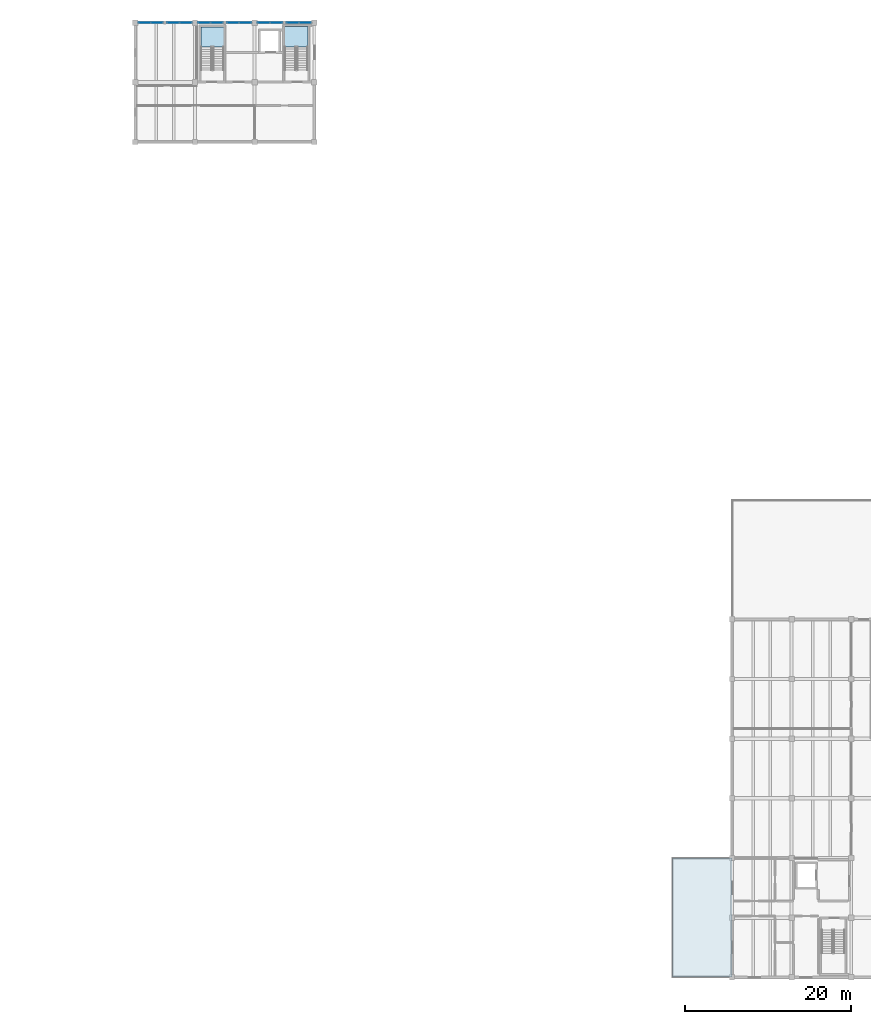
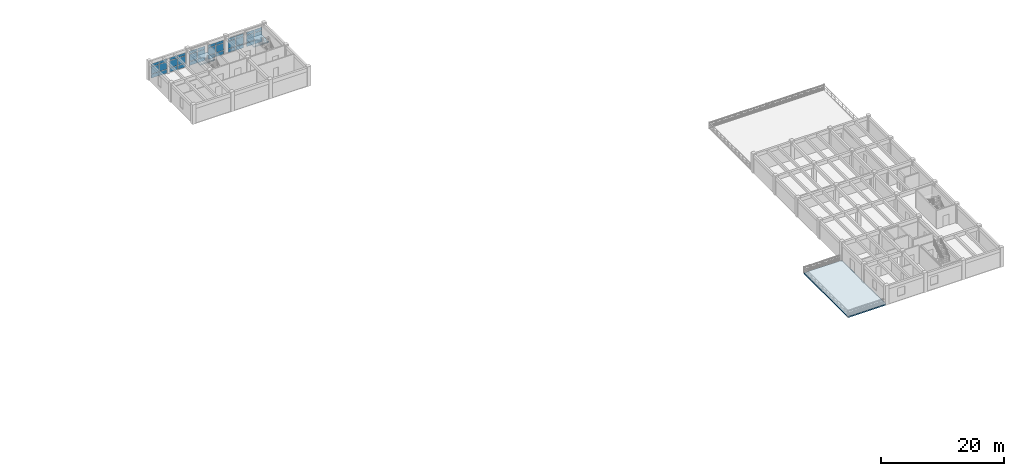
# One storey, part 5 of 13: 36 plates, 3 slabs, 8 elements without a shape of their own.
"""IFC4 building model written with IfcOpenShell, lengths in metres."""

from ifc_helpers import new_model, si_unit, direction, frame, origin, origin_2d, place, context, subcontext, project, spatial, polyline, rectangle, outline, extrude, material, layer, layer_set, type_object, element, aggregate, save


model = new_model("IFC4")

# Units and contexts
model_context = context("Model", 3, precision=1e-05, world=origin(), true_north=direction((0.0, 1.0)))
body_context = subcontext(model_context, "Body", "Model", "MODEL_VIEW")
ifc_project = project(units=[si_unit("LENGTHUNIT", "METRE"), si_unit("AREAUNIT", "SQUARE_METRE"), si_unit("VOLUMEUNIT", "CUBIC_METRE"), si_unit("PLANEANGLEUNIT", "RADIAN"), si_unit("MASSUNIT", "GRAM", prefix="KILO")], contexts=[model_context])

# Site, building, storey
site_placement = place(None, origin())
site = spatial("IfcSite", under=ifc_project, at=site_placement, CompositionType="ELEMENT")
building_placement = place(site_placement, origin())
building = spatial("IfcBuilding", under=site, at=building_placement, Name="Koriwan Promenade Central Fire Station", CompositionType="ELEMENT")
storey_placement = place(building_placement, frame((0.0, 0.0, 13.5)))
storey = spatial("IfcBuildingStorey", under=building, at=storey_placement, Name="L03", CompositionType="ELEMENT", Elevation=13.5)

# Curtain wall, plates
ifc_material_1 = material(Name="Aluminium EN AW-6063-T6 and low-E glazing", Category="aluminium")
ifc_layer_1 = layer(ifc_material_1, 0.159912109375, Name="Aluminium EN AW-6063-T6 and low-E glazing")
ifc_layer_set_1 = layer_set([ifc_layer_1], Name="Aluminium EN AW-6063-T6 and low-E glazing")
curtain_wall_type_1 = type_object("IfcCurtainWallType", Name="CurtainWall_11_307x299", PredefinedType="USERDEFINED", material=ifc_layer_set_1)
curtain_wall_1_placement = place(storey_placement, origin())
curtain_wall_1 = element("IfcCurtainWall", 1, at=curtain_wall_1_placement, inside=storey, type_object=curtain_wall_type_1, Name="V2 L03 unitised curtain wall 033", ObjectType="UNITISED CURTAIN WALL", PredefinedType="USERDEFINED")
ifc_material_2 = material(Name="Solar-control low-E acoustic glazing", Category="glass")
ifc_layer_2 = layer(ifc_material_2, 0.031982421875, Name="Solar-control low-E acoustic glazing")
ifc_layer_set_2 = layer_set([ifc_layer_2], Name="Solar-control low-E acoustic glazing")
plate_type = type_object("IfcPlateType", Name="CWPanel_32", PredefinedType="CURTAIN_PANEL", material=ifc_layer_set_2)
plate_1_placement = place(storey_placement, frame((99.6875, 115.199951171875, 0.0751953125), z_axis=(0.0, 0.0, 1.0), x_axis=(-1.0, 0.0, 0.0)))
plate_1 = element("IfcPlate", 2, at=plate_1_placement, type_object=plate_type, Name="CW-11 panel 1.1", PredefinedType="CURTAIN_PANEL", context=body_context, shape_type="SweptSolid", body=[
    extrude(rectangle(XDim=1.425048828125, YDim=0.031982421875, at=origin_2d()), origin(), (0.0, 0.0, 1.0), 0.737548828125),
])
plate_2_placement = place(storey_placement, frame((99.6875, 115.199951171875, 0.887451171875), z_axis=(0.0, 0.0, 1.0), x_axis=(-1.0, 0.0, 0.0)))
plate_2 = element("IfcPlate", 3, at=plate_2_placement, type_object=plate_type, Name="CW-11 panel 1.2", PredefinedType="CURTAIN_PANEL", context=body_context, shape_type="SweptSolid", body=[
    extrude(rectangle(XDim=1.425048828125, YDim=0.031982421875, at=origin_2d()), origin(), (0.0, 0.0, 1.0), 1.4150390625),
])
plate_3_placement = place(storey_placement, frame((99.6875, 115.199951171875, 2.37744140625), z_axis=(0.0, 0.0, 1.0), x_axis=(-1.0, 0.0, 0.0)))
plate_3 = element("IfcPlate", 4, at=plate_3_placement, type_object=plate_type, Name="CW-11 panel 1.3", PredefinedType="CURTAIN_PANEL", context=body_context, shape_type="SweptSolid", body=[
    extrude(rectangle(XDim=1.425048828125, YDim=0.031982421875, at=origin_2d()), origin(), (0.0, 0.0, 1.0), 0.53759765625),
])
plate_4_placement = place(storey_placement, frame((98.1875, 115.199951171875, 0.0751953125), z_axis=(0.0, 0.0, 1.0), x_axis=(-1.0, 0.0, 0.0)))
plate_4 = element("IfcPlate", 5, at=plate_4_placement, type_object=plate_type, Name="CW-11 panel 2.1", PredefinedType="CURTAIN_PANEL", context=body_context, shape_type="SweptSolid", body=[
    extrude(rectangle(XDim=1.425048828125, YDim=0.031982421875, at=origin_2d()), origin(), (0.0, 0.0, 1.0), 0.737548828125),
])
plate_5_placement = place(storey_placement, frame((98.1875, 115.199951171875, 0.887451171875), z_axis=(0.0, 0.0, 1.0), x_axis=(-1.0, 0.0, 0.0)))
plate_5 = element("IfcPlate", 6, at=plate_5_placement, type_object=plate_type, Name="CW-11 panel 2.2", PredefinedType="CURTAIN_PANEL", context=body_context, shape_type="SweptSolid", body=[
    extrude(rectangle(XDim=1.425048828125, YDim=0.031982421875, at=origin_2d()), origin(), (0.0, 0.0, 1.0), 1.4150390625),
])
plate_6_placement = place(storey_placement, frame((98.1875, 115.199951171875, 2.37744140625), z_axis=(0.0, 0.0, 1.0), x_axis=(-1.0, 0.0, 0.0)))
plate_6 = element("IfcPlate", 7, at=plate_6_placement, type_object=plate_type, Name="CW-11 panel 2.3", PredefinedType="CURTAIN_PANEL", context=body_context, shape_type="SweptSolid", body=[
    extrude(rectangle(XDim=1.425048828125, YDim=0.031982421875, at=origin_2d()), origin(), (0.0, 0.0, 1.0), 0.53759765625),
])
aggregate(curtain_wall_1, [plate_1, plate_2, plate_3, plate_4, plate_5, plate_6])

ifc_layer_3 = layer(ifc_material_1, 0.159912109375, Name="Aluminium EN AW-6063-T6 and low-E glazing")
ifc_layer_set_3 = layer_set([ifc_layer_3], Name="Aluminium EN AW-6063-T6 and low-E glazing")
curtain_wall_type_2 = type_object("IfcCurtainWallType", Name="CurtainWall_12_308x299", PredefinedType="USERDEFINED", material=ifc_layer_set_3)
curtain_wall_2_placement = place(storey_placement, origin())
curtain_wall_2 = element("IfcCurtainWall", 8, at=curtain_wall_2_placement, inside=storey, type_object=curtain_wall_type_2, Name="V2 L03 unitised curtain wall 034", ObjectType="UNITISED CURTAIN WALL", PredefinedType="USERDEFINED")
plate_7_placement = place(storey_placement, frame((96.21240234375, 115.199951171875, 0.0751953125), z_axis=(0.0, 0.0, 1.0), x_axis=(-1.0, 0.0, 0.0)))
plate_7 = element("IfcPlate", 9, at=plate_7_placement, type_object=plate_type, Name="CW-12 panel 1.1", PredefinedType="CURTAIN_PANEL", context=body_context, shape_type="SweptSolid", body=[
    extrude(rectangle(XDim=1.425048828125, YDim=0.031982421875, at=origin_2d()), origin(), (0.0, 0.0, 1.0), 0.737548828125),
])
plate_8_placement = place(storey_placement, frame((96.21240234375, 115.199951171875, 0.887451171875), z_axis=(0.0, 0.0, 1.0), x_axis=(-1.0, 0.0, 0.0)))
plate_8 = element("IfcPlate", 10, at=plate_8_placement, type_object=plate_type, Name="CW-12 panel 1.2", PredefinedType="CURTAIN_PANEL", context=body_context, shape_type="SweptSolid", body=[
    extrude(rectangle(XDim=1.425048828125, YDim=0.031982421875, at=origin_2d()), origin(), (0.0, 0.0, 1.0), 1.4150390625),
])
plate_9_placement = place(storey_placement, frame((96.21240234375, 115.199951171875, 2.37744140625), z_axis=(0.0, 0.0, 1.0), x_axis=(-1.0, 0.0, 0.0)))
plate_9 = element("IfcPlate", 11, at=plate_9_placement, type_object=plate_type, Name="CW-12 panel 1.3", PredefinedType="CURTAIN_PANEL", context=body_context, shape_type="SweptSolid", body=[
    extrude(rectangle(XDim=1.425048828125, YDim=0.031982421875, at=origin_2d()), origin(), (0.0, 0.0, 1.0), 0.53759765625),
])
plate_10_placement = place(storey_placement, frame((94.71240234375, 115.199951171875, 0.0751953125), z_axis=(0.0, 0.0, 1.0), x_axis=(-1.0, 0.0, 0.0)))
plate_10 = element("IfcPlate", 12, at=plate_10_placement, type_object=plate_type, Name="CW-12 panel 2.1", PredefinedType="CURTAIN_PANEL", context=body_context, shape_type="SweptSolid", body=[
    extrude(rectangle(XDim=1.425048828125, YDim=0.031982421875, at=origin_2d()), origin(), (0.0, 0.0, 1.0), 0.737548828125),
])
plate_11_placement = place(storey_placement, frame((94.71240234375, 115.199951171875, 0.887451171875), z_axis=(0.0, 0.0, 1.0), x_axis=(-1.0, 0.0, 0.0)))
plate_11 = element("IfcPlate", 13, at=plate_11_placement, type_object=plate_type, Name="CW-12 panel 2.2", PredefinedType="CURTAIN_PANEL", context=body_context, shape_type="SweptSolid", body=[
    extrude(rectangle(XDim=1.425048828125, YDim=0.031982421875, at=origin_2d()), origin(), (0.0, 0.0, 1.0), 1.4150390625),
])
plate_12_placement = place(storey_placement, frame((94.71240234375, 115.199951171875, 2.37744140625), z_axis=(0.0, 0.0, 1.0), x_axis=(-1.0, 0.0, 0.0)))
plate_12 = element("IfcPlate", 14, at=plate_12_placement, type_object=plate_type, Name="CW-12 panel 2.3", PredefinedType="CURTAIN_PANEL", context=body_context, shape_type="SweptSolid", body=[
    extrude(rectangle(XDim=1.425048828125, YDim=0.031982421875, at=origin_2d()), origin(), (0.0, 0.0, 1.0), 0.53759765625),
])
aggregate(curtain_wall_2, [plate_7, plate_8, plate_9, plate_10, plate_11, plate_12])

curtain_wall_3_placement = place(storey_placement, origin())
curtain_wall_3 = element("IfcCurtainWall", 15, at=curtain_wall_3_placement, inside=storey, type_object=curtain_wall_type_2, Name="V2 L03 unitised curtain wall 035", ObjectType="UNITISED CURTAIN WALL", PredefinedType="USERDEFINED")
plate_13_placement = place(storey_placement, frame((92.487548828125, 115.199951171875, 0.0751953125), z_axis=(0.0, 0.0, 1.0), x_axis=(-1.0, 0.0, 0.0)))
plate_13 = element("IfcPlate", 16, at=plate_13_placement, type_object=plate_type, Name="CW-12 panel 1.1", PredefinedType="CURTAIN_PANEL", context=body_context, shape_type="SweptSolid", body=[
    extrude(rectangle(XDim=1.425048828125, YDim=0.031982421875, at=origin_2d()), origin(), (0.0, 0.0, 1.0), 0.737548828125),
])
plate_14_placement = place(storey_placement, frame((92.487548828125, 115.199951171875, 0.887451171875), z_axis=(0.0, 0.0, 1.0), x_axis=(-1.0, 0.0, 0.0)))
plate_14 = element("IfcPlate", 17, at=plate_14_placement, type_object=plate_type, Name="CW-12 panel 1.2", PredefinedType="CURTAIN_PANEL", context=body_context, shape_type="SweptSolid", body=[
    extrude(rectangle(XDim=1.425048828125, YDim=0.031982421875, at=origin_2d()), origin(), (0.0, 0.0, 1.0), 1.4150390625),
])
plate_15_placement = place(storey_placement, frame((92.487548828125, 115.199951171875, 2.37744140625), z_axis=(0.0, 0.0, 1.0), x_axis=(-1.0, 0.0, 0.0)))
plate_15 = element("IfcPlate", 18, at=plate_15_placement, type_object=plate_type, Name="CW-12 panel 1.3", PredefinedType="CURTAIN_PANEL", context=body_context, shape_type="SweptSolid", body=[
    extrude(rectangle(XDim=1.425048828125, YDim=0.031982421875, at=origin_2d()), origin(), (0.0, 0.0, 1.0), 0.53759765625),
])
plate_16_placement = place(storey_placement, frame((90.987548828125, 115.199951171875, 0.0751953125), z_axis=(0.0, 0.0, 1.0), x_axis=(-1.0, 0.0, 0.0)))
plate_16 = element("IfcPlate", 19, at=plate_16_placement, type_object=plate_type, Name="CW-12 panel 2.1", PredefinedType="CURTAIN_PANEL", context=body_context, shape_type="SweptSolid", body=[
    extrude(rectangle(XDim=1.425048828125, YDim=0.031982421875, at=origin_2d()), origin(), (0.0, 0.0, 1.0), 0.737548828125),
])
plate_17_placement = place(storey_placement, frame((90.987548828125, 115.199951171875, 0.887451171875), z_axis=(0.0, 0.0, 1.0), x_axis=(-1.0, 0.0, 0.0)))
plate_17 = element("IfcPlate", 20, at=plate_17_placement, type_object=plate_type, Name="CW-12 panel 2.2", PredefinedType="CURTAIN_PANEL", context=body_context, shape_type="SweptSolid", body=[
    extrude(rectangle(XDim=1.425048828125, YDim=0.031982421875, at=origin_2d()), origin(), (0.0, 0.0, 1.0), 1.4150390625),
])
plate_18_placement = place(storey_placement, frame((90.987548828125, 115.199951171875, 2.37744140625), z_axis=(0.0, 0.0, 1.0), x_axis=(-1.0, 0.0, 0.0)))
plate_18 = element("IfcPlate", 21, at=plate_18_placement, type_object=plate_type, Name="CW-12 panel 2.3", PredefinedType="CURTAIN_PANEL", context=body_context, shape_type="SweptSolid", body=[
    extrude(rectangle(XDim=1.425048828125, YDim=0.031982421875, at=origin_2d()), origin(), (0.0, 0.0, 1.0), 0.53759765625),
])
aggregate(curtain_wall_3, [plate_13, plate_14, plate_15, plate_16, plate_17, plate_18])

curtain_wall_4_placement = place(storey_placement, origin())
curtain_wall_4 = element("IfcCurtainWall", 22, at=curtain_wall_4_placement, inside=storey, type_object=curtain_wall_type_2, Name="V2 L03 unitised curtain wall 036", ObjectType="UNITISED CURTAIN WALL", PredefinedType="USERDEFINED")
plate_19_placement = place(storey_placement, frame((89.012451171875, 115.199951171875, 0.0751953125), z_axis=(0.0, 0.0, 1.0), x_axis=(-1.0, 0.0, 0.0)))
plate_19 = element("IfcPlate", 23, at=plate_19_placement, type_object=plate_type, Name="CW-12 panel 1.1", PredefinedType="CURTAIN_PANEL", context=body_context, shape_type="SweptSolid", body=[
    extrude(rectangle(XDim=1.425048828125, YDim=0.031982421875, at=origin_2d()), origin(), (0.0, 0.0, 1.0), 0.737548828125),
])
plate_20_placement = place(storey_placement, frame((89.012451171875, 115.199951171875, 0.887451171875), z_axis=(0.0, 0.0, 1.0), x_axis=(-1.0, 0.0, 0.0)))
plate_20 = element("IfcPlate", 24, at=plate_20_placement, type_object=plate_type, Name="CW-12 panel 1.2", PredefinedType="CURTAIN_PANEL", context=body_context, shape_type="SweptSolid", body=[
    extrude(rectangle(XDim=1.425048828125, YDim=0.031982421875, at=origin_2d()), origin(), (0.0, 0.0, 1.0), 1.4150390625),
])
plate_21_placement = place(storey_placement, frame((89.012451171875, 115.199951171875, 2.37744140625), z_axis=(0.0, 0.0, 1.0), x_axis=(-1.0, 0.0, 0.0)))
plate_21 = element("IfcPlate", 25, at=plate_21_placement, type_object=plate_type, Name="CW-12 panel 1.3", PredefinedType="CURTAIN_PANEL", context=body_context, shape_type="SweptSolid", body=[
    extrude(rectangle(XDim=1.425048828125, YDim=0.031982421875, at=origin_2d()), origin(), (0.0, 0.0, 1.0), 0.53759765625),
])
plate_22_placement = place(storey_placement, frame((87.512451171875, 115.199951171875, 0.0751953125), z_axis=(0.0, 0.0, 1.0), x_axis=(-1.0, 0.0, 0.0)))
plate_22 = element("IfcPlate", 26, at=plate_22_placement, type_object=plate_type, Name="CW-12 panel 2.1", PredefinedType="CURTAIN_PANEL", context=body_context, shape_type="SweptSolid", body=[
    extrude(rectangle(XDim=1.425048828125, YDim=0.031982421875, at=origin_2d()), origin(), (0.0, 0.0, 1.0), 0.737548828125),
])
plate_23_placement = place(storey_placement, frame((87.512451171875, 115.199951171875, 0.887451171875), z_axis=(0.0, 0.0, 1.0), x_axis=(-1.0, 0.0, 0.0)))
plate_23 = element("IfcPlate", 27, at=plate_23_placement, type_object=plate_type, Name="CW-12 panel 2.2", PredefinedType="CURTAIN_PANEL", context=body_context, shape_type="SweptSolid", body=[
    extrude(rectangle(XDim=1.425048828125, YDim=0.031982421875, at=origin_2d()), origin(), (0.0, 0.0, 1.0), 1.4150390625),
])
plate_24_placement = place(storey_placement, frame((87.512451171875, 115.199951171875, 2.37744140625), z_axis=(0.0, 0.0, 1.0), x_axis=(-1.0, 0.0, 0.0)))
plate_24 = element("IfcPlate", 28, at=plate_24_placement, type_object=plate_type, Name="CW-12 panel 2.3", PredefinedType="CURTAIN_PANEL", context=body_context, shape_type="SweptSolid", body=[
    extrude(rectangle(XDim=1.425048828125, YDim=0.031982421875, at=origin_2d()), origin(), (0.0, 0.0, 1.0), 0.53759765625),
])
aggregate(curtain_wall_4, [plate_19, plate_20, plate_21, plate_22, plate_23, plate_24])

curtain_wall_5_placement = place(storey_placement, origin())
curtain_wall_5 = element("IfcCurtainWall", 29, at=curtain_wall_5_placement, inside=storey, type_object=curtain_wall_type_2, Name="V2 L03 unitised curtain wall 037", ObjectType="UNITISED CURTAIN WALL", PredefinedType="USERDEFINED")
plate_25_placement = place(storey_placement, frame((85.28759765625, 115.199951171875, 0.0751953125), z_axis=(0.0, 0.0, 1.0), x_axis=(-1.0, 0.0, 0.0)))
plate_25 = element("IfcPlate", 30, at=plate_25_placement, type_object=plate_type, Name="CW-12 panel 1.1", PredefinedType="CURTAIN_PANEL", context=body_context, shape_type="SweptSolid", body=[
    extrude(rectangle(XDim=1.425048828125, YDim=0.031982421875, at=origin_2d()), origin(), (0.0, 0.0, 1.0), 0.737548828125),
])
plate_26_placement = place(storey_placement, frame((85.28759765625, 115.199951171875, 0.887451171875), z_axis=(0.0, 0.0, 1.0), x_axis=(-1.0, 0.0, 0.0)))
plate_26 = element("IfcPlate", 31, at=plate_26_placement, type_object=plate_type, Name="CW-12 panel 1.2", PredefinedType="CURTAIN_PANEL", context=body_context, shape_type="SweptSolid", body=[
    extrude(rectangle(XDim=1.425048828125, YDim=0.031982421875, at=origin_2d()), origin(), (0.0, 0.0, 1.0), 1.4150390625),
])
plate_27_placement = place(storey_placement, frame((85.28759765625, 115.199951171875, 2.37744140625), z_axis=(0.0, 0.0, 1.0), x_axis=(-1.0, 0.0, 0.0)))
plate_27 = element("IfcPlate", 32, at=plate_27_placement, type_object=plate_type, Name="CW-12 panel 1.3", PredefinedType="CURTAIN_PANEL", context=body_context, shape_type="SweptSolid", body=[
    extrude(rectangle(XDim=1.425048828125, YDim=0.031982421875, at=origin_2d()), origin(), (0.0, 0.0, 1.0), 0.53759765625),
])
plate_28_placement = place(storey_placement, frame((83.78759765625, 115.199951171875, 0.0751953125), z_axis=(0.0, 0.0, 1.0), x_axis=(-1.0, 0.0, 0.0)))
plate_28 = element("IfcPlate", 33, at=plate_28_placement, type_object=plate_type, Name="CW-12 panel 2.1", PredefinedType="CURTAIN_PANEL", context=body_context, shape_type="SweptSolid", body=[
    extrude(rectangle(XDim=1.425048828125, YDim=0.031982421875, at=origin_2d()), origin(), (0.0, 0.0, 1.0), 0.737548828125),
])
plate_29_placement = place(storey_placement, frame((83.78759765625, 115.199951171875, 0.887451171875), z_axis=(0.0, 0.0, 1.0), x_axis=(-1.0, 0.0, 0.0)))
plate_29 = element("IfcPlate", 34, at=plate_29_placement, type_object=plate_type, Name="CW-12 panel 2.2", PredefinedType="CURTAIN_PANEL", context=body_context, shape_type="SweptSolid", body=[
    extrude(rectangle(XDim=1.425048828125, YDim=0.031982421875, at=origin_2d()), origin(), (0.0, 0.0, 1.0), 1.4150390625),
])
plate_30_placement = place(storey_placement, frame((83.78759765625, 115.199951171875, 2.37744140625), z_axis=(0.0, 0.0, 1.0), x_axis=(-1.0, 0.0, 0.0)))
plate_30 = element("IfcPlate", 35, at=plate_30_placement, type_object=plate_type, Name="CW-12 panel 2.3", PredefinedType="CURTAIN_PANEL", context=body_context, shape_type="SweptSolid", body=[
    extrude(rectangle(XDim=1.425048828125, YDim=0.031982421875, at=origin_2d()), origin(), (0.0, 0.0, 1.0), 0.53759765625),
])
aggregate(curtain_wall_5, [plate_25, plate_26, plate_27, plate_28, plate_29, plate_30])

curtain_wall_6_placement = place(storey_placement, origin())
curtain_wall_6 = element("IfcCurtainWall", 36, at=curtain_wall_6_placement, inside=storey, type_object=curtain_wall_type_1, Name="V2 L03 unitised curtain wall 038", ObjectType="UNITISED CURTAIN WALL", PredefinedType="USERDEFINED")
plate_31_placement = place(storey_placement, frame((81.8125, 115.199951171875, 0.0751953125), z_axis=(0.0, 0.0, 1.0), x_axis=(-1.0, 0.0, 0.0)))
plate_31 = element("IfcPlate", 37, at=plate_31_placement, type_object=plate_type, Name="CW-11 panel 1.1", PredefinedType="CURTAIN_PANEL", context=body_context, shape_type="SweptSolid", body=[
    extrude(rectangle(XDim=1.425048828125, YDim=0.031982421875, at=origin_2d()), origin(), (0.0, 0.0, 1.0), 0.737548828125),
])
plate_32_placement = place(storey_placement, frame((81.8125, 115.199951171875, 0.887451171875), z_axis=(0.0, 0.0, 1.0), x_axis=(-1.0, 0.0, 0.0)))
plate_32 = element("IfcPlate", 38, at=plate_32_placement, type_object=plate_type, Name="CW-11 panel 1.2", PredefinedType="CURTAIN_PANEL", context=body_context, shape_type="SweptSolid", body=[
    extrude(rectangle(XDim=1.425048828125, YDim=0.031982421875, at=origin_2d()), origin(), (0.0, 0.0, 1.0), 1.4150390625),
])
plate_33_placement = place(storey_placement, frame((81.8125, 115.199951171875, 2.37744140625), z_axis=(0.0, 0.0, 1.0), x_axis=(-1.0, 0.0, 0.0)))
plate_33 = element("IfcPlate", 39, at=plate_33_placement, type_object=plate_type, Name="CW-11 panel 1.3", PredefinedType="CURTAIN_PANEL", context=body_context, shape_type="SweptSolid", body=[
    extrude(rectangle(XDim=1.425048828125, YDim=0.031982421875, at=origin_2d()), origin(), (0.0, 0.0, 1.0), 0.53759765625),
])
plate_34_placement = place(storey_placement, frame((80.3125, 115.199951171875, 0.0751953125), z_axis=(0.0, 0.0, 1.0), x_axis=(-1.0, 0.0, 0.0)))
plate_34 = element("IfcPlate", 40, at=plate_34_placement, type_object=plate_type, Name="CW-11 panel 2.1", PredefinedType="CURTAIN_PANEL", context=body_context, shape_type="SweptSolid", body=[
    extrude(rectangle(XDim=1.425048828125, YDim=0.031982421875, at=origin_2d()), origin(), (0.0, 0.0, 1.0), 0.737548828125),
])
plate_35_placement = place(storey_placement, frame((80.3125, 115.199951171875, 0.887451171875), z_axis=(0.0, 0.0, 1.0), x_axis=(-1.0, 0.0, 0.0)))
plate_35 = element("IfcPlate", 41, at=plate_35_placement, type_object=plate_type, Name="CW-11 panel 2.2", PredefinedType="CURTAIN_PANEL", context=body_context, shape_type="SweptSolid", body=[
    extrude(rectangle(XDim=1.425048828125, YDim=0.031982421875, at=origin_2d()), origin(), (0.0, 0.0, 1.0), 1.4150390625),
])
plate_36_placement = place(storey_placement, frame((80.3125, 115.199951171875, 2.37744140625), z_axis=(0.0, 0.0, 1.0), x_axis=(-1.0, 0.0, 0.0)))
plate_36 = element("IfcPlate", 42, at=plate_36_placement, type_object=plate_type, Name="CW-11 panel 2.3", PredefinedType="CURTAIN_PANEL", context=body_context, shape_type="SweptSolid", body=[
    extrude(rectangle(XDim=1.425048828125, YDim=0.031982421875, at=origin_2d()), origin(), (0.0, 0.0, 1.0), 0.53759765625),
])
aggregate(curtain_wall_6, [plate_31, plate_32, plate_33, plate_34, plate_35, plate_36])

# Stair, slab
ifc_material_3 = material(Name="Concrete C35/45", Category="concrete")
stair_type_1 = type_object("IfcStairType", Name="Stair_HALF_22R_1340", PredefinedType="HALF_TURN_STAIR", material=ifc_material_3)
stair_1_placement = place(storey_placement, origin())
stair_1 = element("IfcStair", 43, at=stair_1_placement, inside=storey, type_object=stair_type_1, Name="L03 Protected Stair ST04", PredefinedType="HALF_TURN_STAIR")
ifc_layer_4 = layer(ifc_material_3, 0.199951171875, Name="Concrete C35/45")
ifc_layer_set_4 = layer_set([ifc_layer_4], Name="Concrete C35/45")
slab_type_1 = type_object("IfcSlabType", Name="StairLanding_200", PredefinedType="LANDING", material=ifc_layer_set_4)
slab_1_placement = place(storey_placement, frame((0.0, 0.0, 1.75)))
slab_1 = element("IfcSlab", 44, at=slab_1_placement, type_object=slab_type_1, Name="ST04 landing 1", PredefinedType="LANDING", context=body_context, shape_type="SweptSolid", body=[
    extrude(outline(polyline([(100.050048828125, 112.2900390625), (100.050048828125, 114.75), (97.219970703125, 114.75), (97.219970703125, 112.2900390625), (100.050048828125, 112.2900390625)])), origin(), (0.0, 0.0, 1.0), 0.199951171875),
])
aggregate(stair_1, [slab_1])

stair_type_2 = type_object("IfcStairType", Name="Stair_HALF_22R_1320", PredefinedType="HALF_TURN_STAIR", material=ifc_material_3)
stair_2_placement = place(storey_placement, origin())
stair_2 = element("IfcStair", 45, at=stair_2_placement, inside=storey, type_object=stair_type_2, Name="L03 Protected Stair ST09", PredefinedType="HALF_TURN_STAIR")
slab_2_placement = place(storey_placement, frame((0.0, 0.0, 1.75)))
slab_2 = element("IfcSlab", 46, at=slab_2_placement, type_object=slab_type_1, Name="ST09 landing 1", PredefinedType="LANDING", context=body_context, shape_type="SweptSolid", body=[
    extrude(outline(polyline([(89.89990234375, 112.27001953125), (89.89990234375, 114.7099609375), (87.110107421875, 114.7099609375), (87.110107421875, 112.27001953125), (89.89990234375, 112.27001953125)])), origin(), (0.0, 0.0, 1.0), 0.199951171875),
])
aggregate(stair_2, [slab_2])

# Slab
ifc_layer_5 = layer(ifc_material_3, 0.239990234375, Name="Concrete C35/45")
ifc_layer_set_5 = layer_set([ifc_layer_5], Name="Concrete C35/45")
slab_type_2 = type_object("IfcSlabType", Name="TerraceSlab_240", PredefinedType="FLOOR", material=ifc_layer_set_5)
slab_3_placement = place(storey_placement, frame((0.0, 0.0, -0.239990234375)))
element("IfcSlab", 47, at=slab_3_placement, inside=storey, type_object=slab_type_2, Name="Promenade Setback Terrace (L03)", PredefinedType="FLOOR", context=body_context, shape_type="SweptSolid", body=[
    extrude(outline(polyline([(151.179931640625, 0.02001953125), (144.02001953125, 0.02001953125), (144.02001953125, 14.3798828125), (151.179931640625, 14.3798828125), (151.179931640625, 0.02001953125)])), origin(), (0.0, 0.0, 1.0), 0.239990234375),
])

save(model, "model.ifc")
